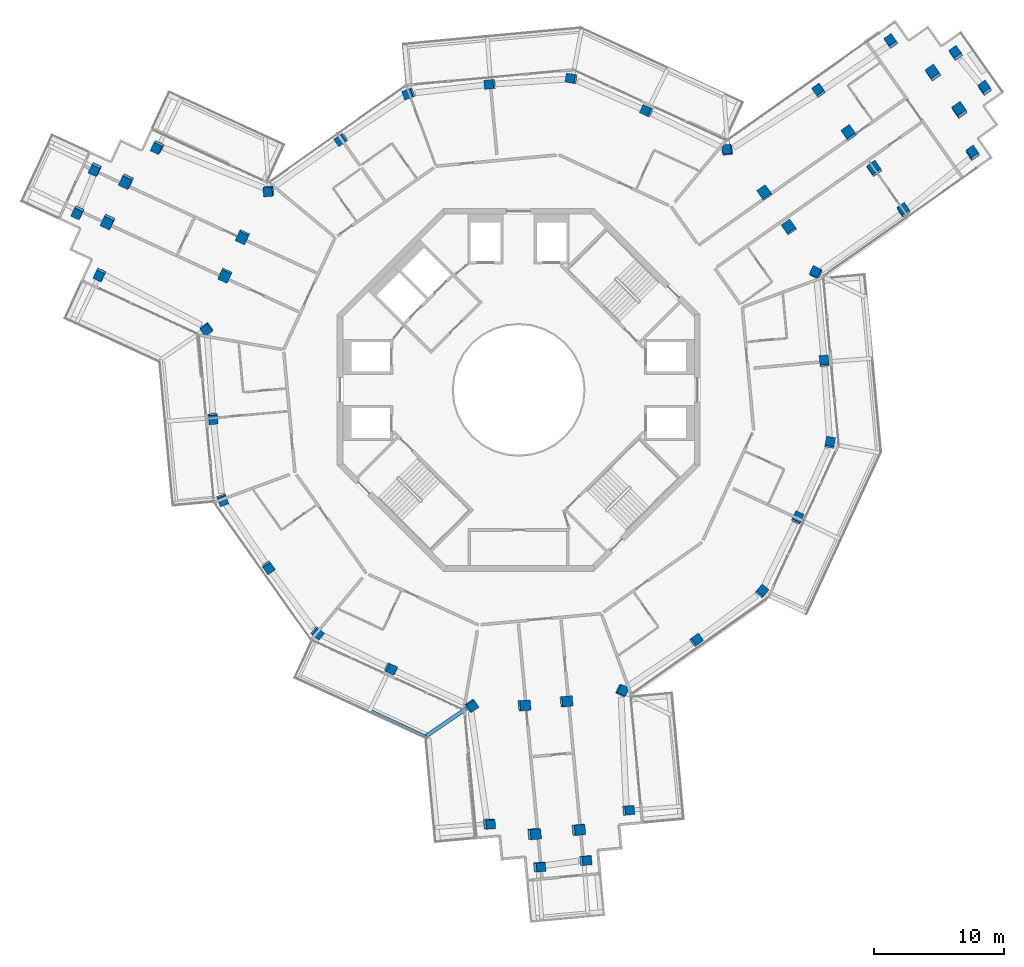
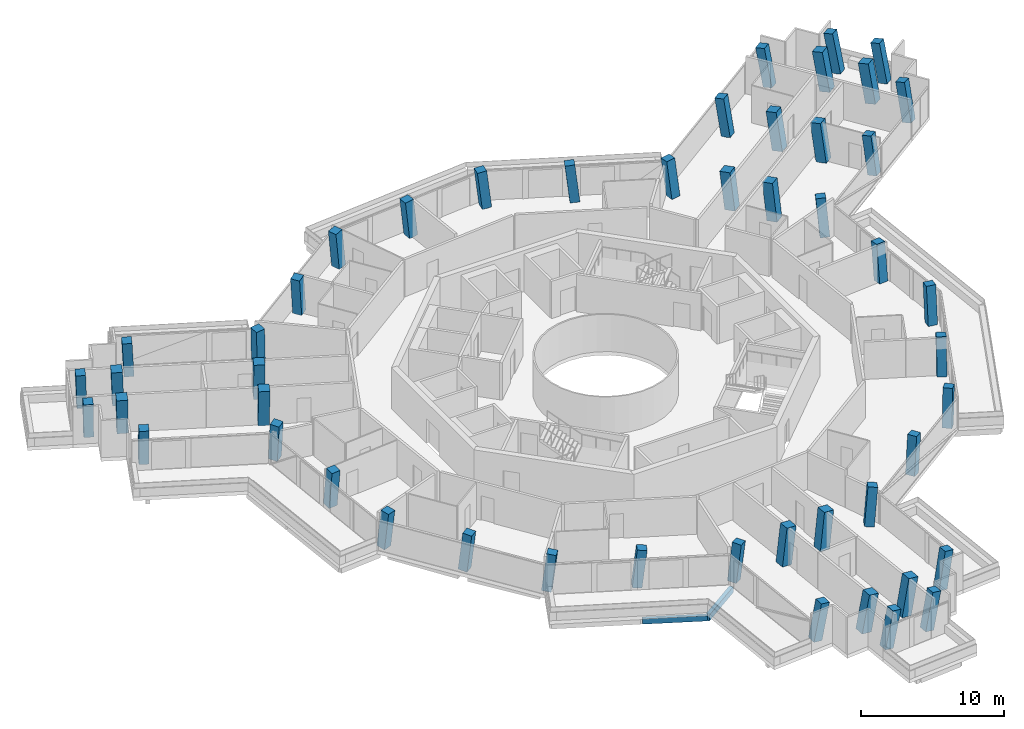
# One storey, part 1 of 25: 49 columns, 2 beams.
"""IFC4 building model written with IfcOpenShell, lengths in metres."""

from ifc_helpers import new_model, si_unit, direction, frame, origin, origin_2d, place, context, subcontext, project, spatial, rectangle, extrude, material, material_profile, profile_set, type_object, element, save


model = new_model("IFC4")

# Units and contexts
model_context = context("Model", 3, precision=1e-05, world=origin(), true_north=direction((0.0, 1.0)))
body_context = subcontext(model_context, "Body", "Model", "MODEL_VIEW")
ifc_project = project(units=[si_unit("LENGTHUNIT", "METRE"), si_unit("AREAUNIT", "SQUARE_METRE"), si_unit("VOLUMEUNIT", "CUBIC_METRE"), si_unit("PLANEANGLEUNIT", "RADIAN"), si_unit("MASSUNIT", "GRAM", prefix="KILO")], contexts=[model_context])

# Site, building, storey
site_placement = place(None, origin())
site = spatial("IfcSite", under=ifc_project, at=site_placement, CompositionType="ELEMENT")
building_placement = place(site_placement, origin())
building = spatial("IfcBuilding", under=site, at=building_placement, Name="Verdalira Terraces Hotel", CompositionType="ELEMENT")
storey_placement = place(building_placement, frame((0.0, 0.0, 299.5)))
storey = spatial("IfcBuildingStorey", under=building, at=storey_placement, Name="L74", CompositionType="ELEMENT", Elevation=299.5)

# Columns
ifc_material_1 = material(Name="Concrete C50", Category="concrete")
ifc_material_profile_1 = material_profile(ifc_material_1, rectangle(XDim=0.699951, YDim=0.699951, at=origin_2d()), Name="RC 700X700")
ifc_profile_set_1 = profile_set([ifc_material_profile_1], Name="Concrete C50")
column_type_1 = type_object("IfcColumnType", Name="Column RC 700X700 C50", PredefinedType="COLUMN", material=ifc_profile_set_1)
column_1_placement = place(storey_placement, frame((-27.798828, 18.753418, 0.0), z_axis=(-0.118239918, -0.118315374, 0.985911149), x_axis=(-0.903077399, 0.425648302, -0.057225298)))
element("IfcColumn", 1, at=column_1_placement, inside=storey, type_object=column_type_1, Name="Column C01", PredefinedType="COLUMN", context=body_context, shape_type="SweptSolid", body=[
    extrude(rectangle(XDim=0.699951, YDim=0.699951, at=origin_2d()), origin(), (0.0, 0.0, 1.0), 3.235596),
])
column_2_placement = place(storey_placement, frame((-32.270508, 8.94458, 0.0), z_axis=(-0.071884446, -0.139309185, 0.987636359), x_axis=(0.908040467, -0.418823715, 0.007014724)))
element("IfcColumn", 2, at=column_2_placement, inside=storey, type_object=column_type_1, Name="Column C02", PredefinedType="COLUMN", context=body_context, shape_type="SweptSolid", body=[
    extrude(rectangle(XDim=0.699951, YDim=0.699951, at=origin_2d()), origin(), (0.0, 0.0, 1.0), 3.22998),
])
column_3_placement = place(storey_placement, frame((-24.055908, 4.733643, 0.0), z_axis=(-0.021587625, -0.114551233, 0.993182757), x_axis=(-0.580946269, 0.809922755, 0.080787146)))
element("IfcColumn", 3, at=column_3_placement, inside=storey, type_object=column_type_1, Name="Column C03", PredefinedType="COLUMN", context=body_context, shape_type="SweptSolid", body=[
    extrude(rectangle(XDim=0.699951, YDim=0.699951, at=origin_2d()), origin(), (0.0, 0.0, 1.0), 3.211914),
])
column_4_placement = place(storey_placement, frame((-23.557861, -2.177002, 0.0), z_axis=(0.011255095, -0.112018614, 0.993642367), x_axis=(0.090943405, -0.989472259, -0.112578621)))
element("IfcColumn", 4, at=column_4_placement, inside=storey, type_object=column_type_1, Name="Column C04", PredefinedType="COLUMN", context=body_context, shape_type="SweptSolid", body=[
    extrude(rectangle(XDim=0.699951, YDim=0.699951, at=origin_2d()), origin(), (0.0, 0.0, 1.0), 3.210449),
])
column_5_placement = place(storey_placement, frame((-22.838623, -8.439209, 0.0), z_axis=(0.041050726, -0.108252285, 0.993275531), x_axis=(-0.344292806, 0.931697214, 0.115770316)))
element("IfcColumn", 5, at=column_5_placement, inside=storey, type_object=column_type_1, Name="Column C05", PredefinedType="COLUMN", context=body_context, shape_type="SweptSolid", body=[
    extrude(rectangle(XDim=0.699951, YDim=0.699951, at=origin_2d()), origin(), (0.0, 0.0, 1.0), 3.211426),
])
column_6_placement = place(storey_placement, frame((-19.313232, -13.664307, 0.0), z_axis=(0.065781659, -0.09133384, 0.99364526), x_axis=(0.573853007, -0.811187112, -0.112553082)))
element("IfcColumn", 6, at=column_6_placement, inside=storey, type_object=column_type_1, Name="Column C06", PredefinedType="COLUMN", context=body_context, shape_type="SweptSolid", body=[
    extrude(rectangle(XDim=0.699951, YDim=0.699951, at=origin_2d()), origin(), (0.0, 0.0, 1.0), 3.210449),
])
column_7_placement = place(storey_placement, frame((-15.559082, -18.727783, 0.0), z_axis=(0.089627429, -0.073283156, 0.993275643), x_axis=(-0.763590768, 0.635237432, 0.115769356)))
element("IfcColumn", 7, at=column_7_placement, inside=storey, type_object=column_type_1, Name="Column C07", PredefinedType="COLUMN", context=body_context, shape_type="SweptSolid", body=[
    extrude(rectangle(XDim=0.699951, YDim=0.699951, at=origin_2d()), origin(), (0.0, 0.0, 1.0), 3.211426),
])
column_8_placement = place(storey_placement, frame((-9.893555, -21.490234, 0.0), z_axis=(0.102589312, -0.046237437, 0.993648596), x_axis=(0.902393906, -0.41596114, -0.11252363)))
element("IfcColumn", 8, at=column_8_placement, inside=storey, type_object=column_type_1, Name="Column C08", PredefinedType="COLUMN", context=body_context, shape_type="SweptSolid", body=[
    extrude(rectangle(XDim=0.699951, YDim=0.699951, at=origin_2d()), origin(), (0.0, 0.0, 1.0), 3.210449),
])
column_9_placement = place(storey_placement, frame((-3.674561, -24.353516, 0.0), z_axis=(0.115912428, -0.016493768, 0.993122482), x_axis=(-0.570122346, 0.817643617, 0.080121326)))
element("IfcColumn", 9, at=column_9_placement, inside=storey, type_object=column_type_1, Name="Column C09", PredefinedType="COLUMN", context=body_context, shape_type="SweptSolid", body=[
    extrude(rectangle(XDim=0.699951, YDim=0.699951, at=origin_2d()), origin(), (0.0, 0.0, 1.0), 3.211914),
])
column_10_placement = place(storey_placement, frame((-2.341797, -33.451172, 0.0), z_axis=(0.161699113, -0.043310915, 0.985889224), x_axis=(0.082685037, -0.994928837, -0.057269492)))
element("IfcColumn", 10, at=column_10_placement, inside=storey, type_object=column_type_1, Name="Column C10", PredefinedType="COLUMN", context=body_context, shape_type="SweptSolid", body=[
    extrude(rectangle(XDim=0.699951, YDim=0.699951, at=origin_2d()), origin(), (0.0, 0.0, 1.0), 3.235596),
])
column_11_placement = place(storey_placement, frame((1.52002, -36.77002, 0.0), z_axis=(0.17681527, -0.024850528, 0.983930288), x_axis=(0.979929084, 0.097950306, -0.17362237)))
element("IfcColumn", 11, at=column_11_placement, inside=storey, type_object=column_type_1, Name="Column C11", PredefinedType="COLUMN", context=body_context, shape_type="SweptSolid", body=[
    extrude(rectangle(XDim=0.699951, YDim=0.699951, at=origin_2d()), origin(), (0.0, 0.0, 1.0), 3.241943),
])
column_12_placement = place(storey_placement, frame((5.070312, -36.281006, 0.0), z_axis=(0.174454367, -0.00821405, 0.984630998), x_axis=(0.98038098, 0.094628713, -0.172911942)))
element("IfcColumn", 12, at=column_12_placement, inside=storey, type_object=column_type_1, Name="Column C12", PredefinedType="COLUMN", context=body_context, shape_type="SweptSolid", body=[
    extrude(rectangle(XDim=0.699951, YDim=0.699951, at=origin_2d()), origin(), (0.0, 0.0, 1.0), 3.239746),
])
column_13_placement = place(storey_placement, frame((8.388916, -32.419434, 0.0), z_axis=(0.156618209, 0.00733203, 0.987632005), x_axis=(-0.090862341, 0.995838748, 0.007015951)))
element("IfcColumn", 13, at=column_13_placement, inside=storey, type_object=column_type_1, Name="Column C13", PredefinedType="COLUMN", context=body_context, shape_type="SweptSolid", body=[
    extrude(rectangle(XDim=0.699951, YDim=0.699951, at=origin_2d()), origin(), (0.0, 0.0, 1.0), 3.22998),
])
column_14_placement = place(storey_placement, frame((7.928711, -23.199951, 0.0), z_axis=(0.10991532, 0.038614787, 0.993190576), x_axis=(-0.410477569, -0.908289085, 0.080740963)))
element("IfcColumn", 14, at=column_14_placement, inside=storey, type_object=column_type_1, Name="Column C14", PredefinedType="COLUMN", context=body_context, shape_type="SweptSolid", body=[
    extrude(rectangle(XDim=0.699951, YDim=0.699951, at=origin_2d()), origin(), (0.0, 0.0, 1.0), 3.211914),
])
column_15_placement = place(storey_placement, frame((13.664307, -19.313232, 0.0), z_axis=(0.09133384, 0.065781659, 0.99364526), x_axis=(0.811187112, 0.573853007, -0.112553082)))
element("IfcColumn", 15, at=column_15_placement, inside=storey, type_object=column_type_1, Name="Column C15", PredefinedType="COLUMN", context=body_context, shape_type="SweptSolid", body=[
    extrude(rectangle(XDim=0.699951, YDim=0.699951, at=origin_2d()), origin(), (0.0, 0.0, 1.0), 3.210449),
])
column_16_placement = place(storey_placement, frame((18.727783, -15.559082, 0.0), z_axis=(0.073283156, 0.089627429, 0.993275643), x_axis=(-0.635237432, -0.763590768, 0.115769356)))
element("IfcColumn", 16, at=column_16_placement, inside=storey, type_object=column_type_1, Name="Column C16", PredefinedType="COLUMN", context=body_context, shape_type="SweptSolid", body=[
    extrude(rectangle(XDim=0.699951, YDim=0.699951, at=origin_2d()), origin(), (0.0, 0.0, 1.0), 3.211426),
])
column_17_placement = place(storey_placement, frame((21.490234, -9.893555, 0.0), z_axis=(0.046237437, 0.102589312, 0.993648596), x_axis=(0.41596114, 0.902393906, -0.11252363)))
element("IfcColumn", 17, at=column_17_placement, inside=storey, type_object=column_type_1, Name="Column C17", PredefinedType="COLUMN", context=body_context, shape_type="SweptSolid", body=[
    extrude(rectangle(XDim=0.699951, YDim=0.699951, at=origin_2d()), origin(), (0.0, 0.0, 1.0), 3.210449),
])
column_18_placement = place(storey_placement, frame((23.998291, -4.11084, 0.0), z_axis=(0.018624885, 0.114257967, 0.993276513), x_axis=(-0.168119967, -0.97894579, 0.115761895)))
element("IfcColumn", 18, at=column_18_placement, inside=storey, type_object=column_type_1, Name="Column C18", PredefinedType="COLUMN", context=body_context, shape_type="SweptSolid", body=[
    extrude(rectangle(XDim=0.699951, YDim=0.699951, at=origin_2d()), origin(), (0.0, 0.0, 1.0), 3.211426),
])
column_19_placement = place(storey_placement, frame((23.557861, 2.177002, 0.0), z_axis=(-0.011255095, 0.112018614, 0.993642367), x_axis=(-0.090943405, 0.989472259, -0.112578621)))
element("IfcColumn", 19, at=column_19_placement, inside=storey, type_object=column_type_1, Name="Column C19", PredefinedType="COLUMN", context=body_context, shape_type="SweptSolid", body=[
    extrude(rectangle(XDim=0.699951, YDim=0.699951, at=origin_2d()), origin(), (0.0, 0.0, 1.0), 3.210449),
])
column_20_placement = place(storey_placement, frame((22.927979, 8.994385, 0.0), z_axis=(-0.043704331, 0.108690771, 0.993114418), x_axis=(-0.422985954, -0.902582935, 0.080168121)))
element("IfcColumn", 20, at=column_20_placement, inside=storey, type_object=column_type_1, Name="Column C20", PredefinedType="COLUMN", context=body_context, shape_type="SweptSolid", body=[
    extrude(rectangle(XDim=0.699951, YDim=0.699951, at=origin_2d()), origin(), (0.0, 0.0, 1.0), 3.212158),
])
column_21_placement = place(storey_placement, frame((29.710938, 13.793701, 0.0), z_axis=(-0.05274277, 0.14984085, 0.987302345), x_axis=(0.819371277, 0.571649268, -0.042986327)))
element("IfcColumn", 21, at=column_21_placement, inside=storey, type_object=column_type_1, Name="Column C21", PredefinedType="COLUMN", context=body_context, shape_type="SweptSolid", body=[
    extrude(rectangle(XDim=0.699951, YDim=0.699951, at=origin_2d()), origin(), (0.0, 0.0, 1.0), 3.230957),
])
column_22_placement = place(storey_placement, frame((35.038574, 18.163086, 0.0), z_axis=(-0.059623692, 0.183752108, 0.981162666), x_axis=(0.821094363, 0.567991561, -0.056476843)))
element("IfcColumn", 22, at=column_22_placement, inside=storey, type_object=column_type_1, Name="Column C22", PredefinedType="COLUMN", context=body_context, shape_type="SweptSolid", body=[
    extrude(rectangle(XDim=0.699951, YDim=0.699951, at=origin_2d()), origin(), (0.0, 0.0, 1.0), 3.251221),
])
column_23_placement = place(storey_placement, frame((35.981689, 23.166992, 0.0), z_axis=(-0.082999626, 0.187423342, 0.978766342), x_axis=(-0.572906797, 0.794655254, -0.200750664)))
element("IfcColumn", 23, at=column_23_placement, inside=storey, type_object=column_type_1, Name="Column C23", PredefinedType="COLUMN", context=body_context, shape_type="SweptSolid", body=[
    extrude(rectangle(XDim=0.699951, YDim=0.699951, at=origin_2d()), origin(), (0.0, 0.0, 1.0), 3.259033),
])
column_24_placement = place(storey_placement, frame((33.759521, 25.857666, 0.0), z_axis=(-0.095585423, 0.177076682, 0.979544422), x_axis=(-0.570219403, 0.796851557, -0.199693335)))
element("IfcColumn", 24, at=column_24_placement, inside=storey, type_object=column_type_1, Name="Column C24", PredefinedType="COLUMN", context=body_context, shape_type="SweptSolid", body=[
    extrude(rectangle(XDim=0.699951, YDim=0.699951, at=origin_2d()), origin(), (0.0, 0.0, 1.0), 3.256592),
])
column_25_placement = place(storey_placement, frame((28.755615, 26.800781, 0.0), z_axis=(-0.100057244, 0.15414834, 0.982968381), x_axis=(-0.817231704, -0.576264481, 0.007182593)))
element("IfcColumn", 25, at=column_25_placement, inside=storey, type_object=column_type_1, Name="Column C25", PredefinedType="COLUMN", context=body_context, shape_type="SweptSolid", body=[
    extrude(rectangle(XDim=0.699951, YDim=0.699951, at=origin_2d()), origin(), (0.0, 0.0, 1.0), 3.245117),
])
column_26_placement = place(storey_placement, frame((23.184326, 23.018311, 0.0), z_axis=(-0.096133327, 0.118748484, 0.988259673), x_axis=(-0.815495152, -0.578681034, -0.009793748)))
element("IfcColumn", 26, at=column_26_placement, inside=storey, type_object=column_type_1, Name="Column C26", PredefinedType="COLUMN", context=body_context, shape_type="SweptSolid", body=[
    extrude(rectangle(XDim=0.699951, YDim=0.699951, at=origin_2d()), origin(), (0.0, 0.0, 1.0), 3.227783),
])
column_27_placement = place(storey_placement, frame((16.127441, 18.466309, 0.0), z_axis=(-0.088403133, 0.075936999, 0.993186014), x_axis=(0.991870787, 0.098330497, 0.080767914)))
element("IfcColumn", 27, at=column_27_placement, inside=storey, type_object=column_type_1, Name="Column C27", PredefinedType="COLUMN", context=body_context, shape_type="SweptSolid", body=[
    extrude(rectangle(XDim=0.699951, YDim=0.699951, at=origin_2d()), origin(), (0.0, 0.0, 1.0), 3.211914),
])
column_28_placement = place(storey_placement, frame((9.893555, 21.490234, 0.0), z_axis=(-0.102589312, 0.046237437, 0.993648596), x_axis=(-0.902393906, 0.41596114, -0.11252363)))
element("IfcColumn", 28, at=column_28_placement, inside=storey, type_object=column_type_1, Name="Column C28", PredefinedType="COLUMN", context=body_context, shape_type="SweptSolid", body=[
    extrude(rectangle(XDim=0.699951, YDim=0.699951, at=origin_2d()), origin(), (0.0, 0.0, 1.0), 3.210449),
])
column_29_placement = place(storey_placement, frame((4.11084, 23.998291, 0.0), z_axis=(-0.114257967, 0.018624885, 0.993276513), x_axis=(0.97894579, -0.168119967, 0.115761895)))
element("IfcColumn", 29, at=column_29_placement, inside=storey, type_object=column_type_1, Name="Column C29", PredefinedType="COLUMN", context=body_context, shape_type="SweptSolid", body=[
    extrude(rectangle(XDim=0.699951, YDim=0.699951, at=origin_2d()), origin(), (0.0, 0.0, 1.0), 3.211426),
])
column_30_placement = place(storey_placement, frame((-2.177002, 23.557861, 0.0), z_axis=(-0.112018614, -0.011255095, 0.993642367), x_axis=(-0.989472259, -0.090943405, -0.112578621)))
element("IfcColumn", 30, at=column_30_placement, inside=storey, type_object=column_type_1, Name="Column C30", PredefinedType="COLUMN", context=body_context, shape_type="SweptSolid", body=[
    extrude(rectangle(XDim=0.699951, YDim=0.699951, at=origin_2d()), origin(), (0.0, 0.0, 1.0), 3.210449),
])
column_31_placement = place(storey_placement, frame((-8.439209, 22.838623, 0.0), z_axis=(-0.108252285, -0.041050726, 0.993275531), x_axis=(0.931697214, 0.344292806, 0.115770316)))
element("IfcColumn", 31, at=column_31_placement, inside=storey, type_object=column_type_1, Name="Column C31", PredefinedType="COLUMN", context=body_context, shape_type="SweptSolid", body=[
    extrude(rectangle(XDim=0.699951, YDim=0.699951, at=origin_2d()), origin(), (0.0, 0.0, 1.0), 3.211426),
])
column_32_placement = place(storey_placement, frame((-13.664307, 19.313232, 0.0), z_axis=(-0.09133384, -0.065781659, 0.99364526), x_axis=(-0.811187112, -0.573853007, -0.112553082)))
element("IfcColumn", 32, at=column_32_placement, inside=storey, type_object=column_type_1, Name="Column C32", PredefinedType="COLUMN", context=body_context, shape_type="SweptSolid", body=[
    extrude(rectangle(XDim=0.699951, YDim=0.699951, at=origin_2d()), origin(), (0.0, 0.0, 1.0), 3.210449),
])
column_33_placement = place(storey_placement, frame((-19.253418, 15.358887, 0.0), z_axis=(-0.072283618, -0.092121709, 0.993120672), x_axis=(0.993191737, 0.084552132, 0.080131833)))
element("IfcColumn", 33, at=column_33_placement, inside=storey, type_object=column_type_1, Name="Column C33", PredefinedType="COLUMN", context=body_context, shape_type="SweptSolid", body=[
    extrude(rectangle(XDim=0.699951, YDim=0.699951, at=origin_2d()), origin(), (0.0, 0.0, 1.0), 3.212158),
])
column_34_placement = place(storey_placement, frame((-32.60376, 17.068604, 0.0), z_axis=(-0.1099439, -0.140743252, 0.983922597), x_axis=(-0.40506223, -0.897644446, -0.173663579)))
element("IfcColumn", 34, at=column_34_placement, inside=storey, type_object=column_type_1, Name="Column C34", PredefinedType="COLUMN", context=body_context, shape_type="SweptSolid", body=[
    extrude(rectangle(XDim=0.699951, YDim=0.699951, at=origin_2d()), origin(), (0.0, 0.0, 1.0), 3.241943),
])
column_35_placement = place(storey_placement, frame((-33.955566, 13.749512, 0.0), z_axis=(-0.094274146, -0.146950107, 0.984641077), x_axis=(-0.408025915, -0.896457343, -0.172855674)))
element("IfcColumn", 35, at=column_35_placement, inside=storey, type_object=column_type_1, Name="Column C35", PredefinedType="COLUMN", context=body_context, shape_type="SweptSolid", body=[
    extrude(rectangle(XDim=0.699951, YDim=0.699951, at=origin_2d()), origin(), (0.0, 0.0, 1.0), 3.239746),
])
ifc_material_2 = material(Name="Concrete C50", Category="concrete")
ifc_material_profile_2 = material_profile(ifc_material_2, rectangle(XDim=0.800049, YDim=0.800049, at=origin_2d()), Name="RC 800X800")
ifc_profile_set_2 = profile_set([ifc_material_profile_2], Name="Concrete C50")
column_type_2 = type_object("IfcColumnType", Name="Column RC 800X800 C50", PredefinedType="COLUMN", material=ifc_profile_set_2)
for number, where, z_axis, x_axis, name in (
    (36, (-21.259033, 11.830811, 0.0), (-0.055418967, -0.101563429, 0.993284253), (-0.907930639, 0.419047698, -0.007809101), "Column C36"),
    (37, (-22.62085, 8.872803, 0.0), (-0.041279755, -0.107950741, 0.993298857), (-0.908779707, 0.417207469, 0.007574409), "Column C37"),
):
    element("IfcColumn", number, at=place(storey_placement, frame(where, z_axis=z_axis, x_axis=x_axis)), inside=storey, type_object=column_type_2, Name=name, PredefinedType="COLUMN", context=body_context, shape_type="SweptSolid", body=[
        extrude(rectangle(XDim=0.800049, YDim=0.800049, at=origin_2d()), origin(), (0.0, 0.0, 1.0), 3.211426),
    ])
column_36_placement = place(storey_placement, frame((-30.203857, 16.135742, 0.0), z_axis=(-0.105864377, -0.129557474, 0.985904455), x_axis=(-0.904629647, 0.424183477, -0.041395405)))
element("IfcColumn", 38, at=column_36_placement, inside=storey, type_object=column_type_2, Name="Column C38", PredefinedType="COLUMN", context=body_context, shape_type="SweptSolid", body=[
    extrude(rectangle(XDim=0.800049, YDim=0.800049, at=origin_2d()), origin(), (0.0, 0.0, 1.0), 3.235596),
])
column_37_placement = place(storey_placement, frame((-31.636719, 13.023438, 0.0), z_axis=(-0.091126438, -0.136349915, 0.98646068), x_axis=(-0.906427827, 0.421592666, -0.025460128)))
element("IfcColumn", 39, at=column_37_placement, inside=storey, type_object=column_type_2, Name="Column C39", PredefinedType="COLUMN", context=body_context, shape_type="SweptSolid", body=[
    extrude(rectangle(XDim=0.800049, YDim=0.800049, at=origin_2d()), origin(), (0.0, 0.0, 1.0), 3.233643),
])
for number, where, z_axis, x_axis, name in (
    (40, (0.383789, -24.326172, 0.0), (0.115627762, 0.002736752, 0.993288846), (0.090630953, -0.99585395, -0.007806439), "Column C40"),
    (41, (3.626465, -24.026611, 0.0), (0.114108708, 0.01824523, 0.993300717), (0.093266774, -0.995612351, 0.007573361), "Column C41"),
):
    element("IfcColumn", number, at=place(storey_placement, frame(where, z_axis=z_axis, x_axis=x_axis)), inside=storey, type_object=column_type_2, Name=name, PredefinedType="COLUMN", context=body_context, shape_type="SweptSolid", body=[
        extrude(rectangle(XDim=0.800049, YDim=0.800049, at=origin_2d()), origin(), (0.0, 0.0, 1.0), 3.211426),
    ])
column_38_placement = place(storey_placement, frame((1.12793, -34.225098, 0.0), z_axis=(0.165171653, -0.026862087, 0.985898957), x_axis=(0.085234809, -0.995500268, -0.041403421)))
element("IfcColumn", 42, at=column_38_placement, inside=storey, type_object=column_type_2, Name="Column C42", PredefinedType="COLUMN", context=body_context, shape_type="SweptSolid", body=[
    extrude(rectangle(XDim=0.800049, YDim=0.800049, at=origin_2d()), origin(), (0.0, 0.0, 1.0), 3.235596),
])
column_39_placement = place(storey_placement, frame((4.539795, -33.909912, 0.0), z_axis=(0.163605799, -0.010796322, 0.986466716), x_axis=(0.087764973, -0.995815936, -0.025454491)))
element("IfcColumn", 43, at=column_39_placement, inside=storey, type_object=column_type_2, Name="Column C43", PredefinedType="COLUMN", context=body_context, shape_type="SweptSolid", body=[
    extrude(rectangle(XDim=0.800049, YDim=0.800049, at=origin_2d()), origin(), (0.0, 0.0, 1.0), 3.233643),
])
for number, where, z_axis, x_axis, name in (
    (44, (20.875244, 12.495605, 0.0), (-0.060209003, 0.098675866, 0.993296506), (0.816772768, 0.576906729, -0.007801998), "Column C44"),
    (45, (18.994385, 15.153809, 0.0), (-0.072828967, 0.089705826, 0.993301971), (0.815717505, 0.578400904, 0.007572654), "Column C45"),
):
    element("IfcColumn", number, at=place(storey_placement, frame(where, z_axis=z_axis, x_axis=x_axis)), inside=storey, type_object=column_type_2, Name=name, PredefinedType="COLUMN", context=body_context, shape_type="SweptSolid", body=[
        extrude(rectangle(XDim=0.800049, YDim=0.800049, at=origin_2d()), origin(), (0.0, 0.0, 1.0), 3.211426),
    ])
column_40_placement = place(storey_placement, frame((27.453613, 16.984131, 0.0), z_axis=(-0.067748182, 0.139201342, 0.98794391), x_axis=(0.818446992, 0.574048376, -0.0247585)))
element("IfcColumn", 46, at=column_40_placement, inside=storey, type_object=column_type_2, Name="Column C46", PredefinedType="COLUMN", context=body_context, shape_type="SweptSolid", body=[
    extrude(rectangle(XDim=0.800049, YDim=0.800049, at=origin_2d()), origin(), (0.0, 0.0, 1.0), 3.22876),
])
column_41_placement = place(storey_placement, frame((25.494629, 19.75293, 0.0), z_axis=(-0.080778082, 0.129789503, 0.988245712), x_axis=(0.817148162, 0.576358942, -0.008902319)))
element("IfcColumn", 47, at=column_41_placement, inside=storey, type_object=column_type_2, Name="Column C47", PredefinedType="COLUMN", context=body_context, shape_type="SweptSolid", body=[
    extrude(rectangle(XDim=0.800049, YDim=0.800049, at=origin_2d()), origin(), (0.0, 0.0, 1.0), 3.227783),
])
column_42_placement = place(storey_placement, frame((34.031982, 21.4729, 0.0), z_axis=(-0.075082033, 0.178770321, 0.981021845), x_axis=(0.820186015, 0.570610821, -0.041209119)))
element("IfcColumn", 48, at=column_42_placement, inside=storey, type_object=column_type_2, Name="Column C48", PredefinedType="COLUMN", context=body_context, shape_type="SweptSolid", body=[
    extrude(rectangle(XDim=0.800049, YDim=0.800049, at=origin_2d()), origin(), (0.0, 0.0, 1.0), 3.251709),
])
column_43_placement = place(storey_placement, frame((31.995117, 24.351807, 0.0), z_axis=(-0.088646974, 0.169255621, 0.981577429), x_axis=(0.818714547, 0.573657193, -0.024978302)))
element("IfcColumn", 49, at=column_43_placement, inside=storey, type_object=column_type_2, Name="Column C49", PredefinedType="COLUMN", context=body_context, shape_type="SweptSolid", body=[
    extrude(rectangle(XDim=0.800049, YDim=0.800049, at=origin_2d()), origin(), (0.0, 0.0, 1.0), 3.249756),
])

# Beams
ifc_material_3 = material(Name="Concrete C40", Category="concrete")
ifc_material_profile_3 = material_profile(ifc_material_3, rectangle(XDim=0.300049, YDim=0.5, at=origin_2d()), Name="RC 300X500")
ifc_profile_set_3 = profile_set([ifc_material_profile_3], Name="Concrete C40")
beam_type_1 = type_object("IfcBeamType", Name="Balcony cantilever beam RC 300X500 C40", PredefinedType="BEAM", material=ifc_profile_set_3)
beam_1_placement = place(storey_placement, frame((-3.991699, -24.546387, -0.560059), z_axis=(-0.825928438, -0.563774969, 0.0), x_axis=(0.563774969, -0.825928438, 0.0)))
element("IfcBeam", 50, at=beam_1_placement, inside=storey, type_object=beam_type_1, Name="Balcony cantilever beam R13-4", PredefinedType="BEAM", context=body_context, shape_type="SweptSolid", body=[
    extrude(rectangle(XDim=0.300049, YDim=0.5, at=origin_2d()), origin(), (0.0, 0.0, 1.0), 3.872314),
])
ifc_material_4 = material(Name="Concrete C40", Category="concrete")
ifc_material_profile_4 = material_profile(ifc_material_4, rectangle(XDim=0.25, YDim=0.449951, at=origin_2d()), Name="RC 250X450")
ifc_profile_set_4 = profile_set([ifc_material_profile_4], Name="Concrete C40")
beam_type_2 = type_object("IfcBeamType", Name="Balcony edge beam RC 250X450 C40", PredefinedType="BEAM", material=ifc_profile_set_4)
beam_2_placement = place(storey_placement, frame((-11.342773, -24.787354, -0.534912), z_axis=(0.905835912, -0.423628729, 0.0), x_axis=(0.423628729, 0.905835912, 0.0)))
element("IfcBeam", 51, at=beam_2_placement, inside=storey, type_object=beam_type_2, Name="Balcony edge beam R13-2", PredefinedType="BEAM", context=body_context, shape_type="SweptSolid", body=[
    extrude(rectangle(XDim=0.25, YDim=0.449951, at=origin_2d()), origin(), (0.0, 0.0, 1.0), 4.584473),
])

save(model, "model.ifc")
